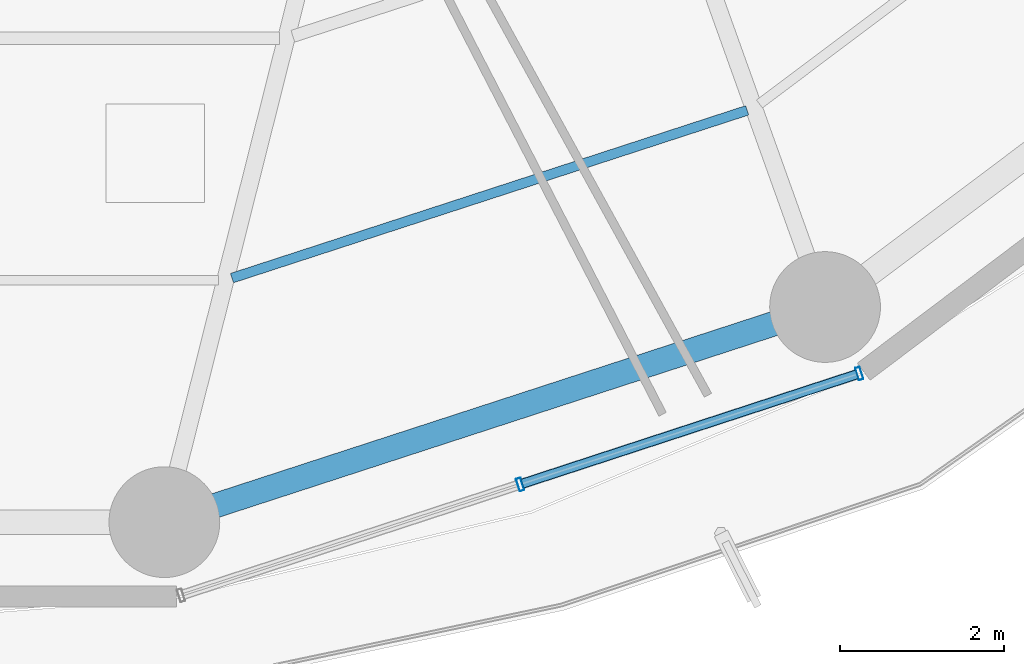
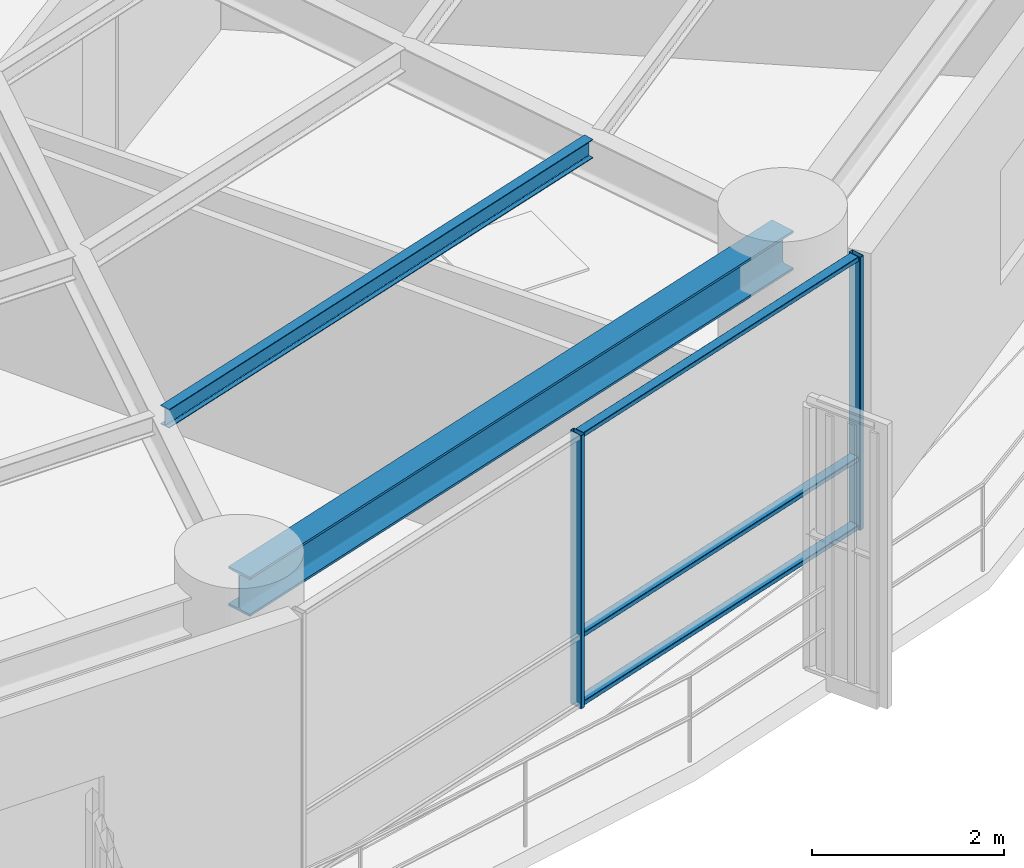
# One storey, part 10 of 35: 5 members, 2 beams, 1 element without a shape of its own.
"""IFC4 building model written with IfcOpenShell, lengths in metres."""

from ifc_helpers import new_model, si_unit, direction, frame, origin, origin_2d, place, context, subcontext, project, spatial, hollow_rectangle, i_section, extrude, material, layer, layer_set, material_profile, profile_set, type_object, element, aggregate, save


model = new_model("IFC4")

# Units and contexts
model_context = context("Model", 3, precision=1e-05, world=origin(), true_north=direction((0.0, 1.0)))
body_context = subcontext(model_context, "Body", "Model", "MODEL_VIEW")
ifc_project = project(units=[si_unit("LENGTHUNIT", "METRE"), si_unit("AREAUNIT", "SQUARE_METRE"), si_unit("VOLUMEUNIT", "CUBIC_METRE"), si_unit("PLANEANGLEUNIT", "RADIAN"), si_unit("MASSUNIT", "GRAM", prefix="KILO")], contexts=[model_context])

# Site, building, storey
site_placement = place(None, origin())
site = spatial("IfcSite", under=ifc_project, at=site_placement, CompositionType="ELEMENT")
building_placement = place(site_placement, origin())
building = spatial("IfcBuilding", under=site, at=building_placement, Name="Kelanora Arch Commons", CompositionType="ELEMENT")
storey_placement = place(building_placement, frame((0.0, 0.0, 117.60009765625)))
storey = spatial("IfcBuildingStorey", under=building, at=storey_placement, Name="L30", CompositionType="ELEMENT", Elevation=117.60009765625)

# Beams
ifc_material_1 = material(Name="Steel S355", Category="steel")
ifc_material_profile_1 = material_profile(ifc_material_1, i_section(OverallWidth=0.1201171875, OverallDepth=0.239990234375, WebThickness=0.006103515625, FlangeThickness=0.009765625, FilletRadius=0.014892578125, at=origin_2d()), Name="IPE240")
ifc_profile_set_1 = profile_set([ifc_material_profile_1], Name="Steel S355")
beam_type_1 = type_object("IfcBeamType", Name="BM-JST-02", PredefinedType="JOIST", material=ifc_profile_set_1)
beam_1_placement = place(storey_placement, frame((79.109375, 39.230712890625, 3.369873046875), z_axis=(0.950862829272, 0.309612467301, 0.0), x_axis=(-0.309612467301, 0.950862829272, 0.0)))
element("IfcBeam", 1, at=beam_1_placement, inside=storey, type_object=beam_type_1, Name="Secondary Chord Joist BJC-28 L30", PredefinedType="JOIST", context=body_context, shape_type="SweptSolid", body=[
    extrude(i_section(OverallWidth=0.1201171875, OverallDepth=0.239990234375, WebThickness=0.006103515625, FlangeThickness=0.009765625, FilletRadius=0.014892578125, at=origin_2d()), origin(), (0.0, 0.0, 1.0), 6.6064453125),
])
ifc_material_profile_2 = material_profile(ifc_material_1, i_section(OverallWidth=0.300048828125, OverallDepth=0.5, WebThickness=0.014404296875, FlangeThickness=0.028076171875, FilletRadius=0.027099609375, at=origin_2d()), Name="HEB500")
ifc_profile_set_2 = profile_set([ifc_material_profile_2], Name="Steel S355")
beam_type_2 = type_object("IfcBeamType", Name="BM-SPN-Z2", PredefinedType="SPANDREL", material=ifc_profile_set_2)
beam_2_placement = place(storey_placement, frame((78.28564453125, 36.25537109375, 3.239990234375), z_axis=(0.950856631974, 0.309631499418, 0.0), x_axis=(-0.309631499418, 0.950856631974, 0.0)))
element("IfcBeam", 2, at=beam_2_placement, inside=storey, type_object=beam_type_2, Name="Perimeter Spandrel Beam BS-28 L30", PredefinedType="SPANDREL", context=body_context, shape_type="SweptSolid", body=[
    extrude(i_section(OverallWidth=0.300048828125, OverallDepth=0.5, WebThickness=0.014404296875, FlangeThickness=0.028076171875, FilletRadius=0.027099609375, at=origin_2d()), origin(), (0.0, 0.0, 1.0), 8.470703125),
])

# Curtain wall, members
ifc_material_2 = material(Name="Terracotta ceramic-fritted low-E glass and aluminium", Category="masonry")
ifc_layer = layer(ifc_material_2, 0.159912109375)
ifc_layer_set = layer_set([ifc_layer], Name="Terracotta ceramic-fritted low-E glass and aluminium")
curtain_wall_type = type_object("IfcCurtainWallType", Name="CW-SYS-01", PredefinedType="NOTDEFINED", material=ifc_layer_set)
curtain_wall_placement = place(storey_placement, origin())
curtain_wall = element("IfcCurtainWall", 3, at=curtain_wall_placement, inside=storey, type_object=curtain_wall_type, Name="Unitised Curtain Wall L30-B14", PredefinedType="NOTDEFINED")
ifc_material_3 = material(Name="Powder-coated aluminium terracotta", Category="masonry")
ifc_material_profile_3 = material_profile(ifc_material_3, hollow_rectangle(XDim=0.159912109375, YDim=0.06005859375, WallThickness=0.0048828125, InnerFilletRadius=0.0048828125, OuterFilletRadius=0.010009765625, at=origin_2d()), Name="CWM160x60")
ifc_profile_set_3 = profile_set([ifc_material_profile_3], Name="Powder-coated aluminium terracotta")
member_type_1 = type_object("IfcMemberType", Name="CWM-STD", PredefinedType="MULLION", material=ifc_profile_set_3)
member_1_placement = place(storey_placement, frame((82.622802734375, 36.71533203125, 0.0), z_axis=(0.0, 0.0, 1.0), x_axis=(-0.31080470294, 0.950473795867, 0.0)))
member_1 = element("IfcMember", 4, at=member_1_placement, type_object=member_type_1, Name="CW-01 mullion 2", PredefinedType="MULLION", context=body_context, shape_type="SweptSolid", body=[
    extrude(hollow_rectangle(XDim=0.159912109375, YDim=0.06005859375, WallThickness=0.0048828125, InnerFilletRadius=0.0048828125, OuterFilletRadius=0.010009765625, at=origin_2d()), origin(), (0.0, 0.0, 1.0), 3.474853515625),
])
member_2_placement = place(storey_placement, frame((86.757080078125, 38.0673828125, 0.0), z_axis=(0.0, 0.0, 1.0), x_axis=(-0.31080470294, 0.950473795867, 0.0)))
member_2 = element("IfcMember", 5, at=member_2_placement, type_object=member_type_1, Name="CW-01 mullion 3", PredefinedType="MULLION", context=body_context, shape_type="SweptSolid", body=[
    extrude(hollow_rectangle(XDim=0.159912109375, YDim=0.06005859375, WallThickness=0.0048828125, InnerFilletRadius=0.0048828125, OuterFilletRadius=0.010009765625, at=origin_2d()), origin(), (0.0, 0.0, 1.0), 3.474853515625),
])
ifc_material_profile_4 = material_profile(ifc_material_3, hollow_rectangle(XDim=0.1201171875, YDim=0.06005859375, WallThickness=0.0048828125, InnerFilletRadius=0.0048828125, OuterFilletRadius=0.010009765625, at=origin_2d()), Name="CWT120x60")
ifc_profile_set_4 = profile_set([ifc_material_profile_4], Name="Powder-coated aluminium terracotta")
member_type_2 = type_object("IfcMemberType", Name="CWT-STD", PredefinedType="USERDEFINED", material=ifc_profile_set_4)
member_3_placement = place(storey_placement, frame((82.651123046875, 36.724609375, 0.02978515625), z_axis=(0.950466230394, 0.310827838008, 0.0), x_axis=(-0.310827838008, 0.950466230394, 0.0)))
member_3 = element("IfcMember", 6, at=member_3_placement, type_object=member_type_2, Name="CW-01 transom 2.1", ObjectType="TRANSOM", PredefinedType="USERDEFINED", context=body_context, shape_type="SweptSolid", body=[
    extrude(hollow_rectangle(XDim=0.1201171875, YDim=0.06005859375, WallThickness=0.0048828125, InnerFilletRadius=0.0048828125, OuterFilletRadius=0.010009765625, at=origin_2d()), origin(), (0.0, 0.0, 1.0), 4.2900390625),
])
member_4_placement = place(storey_placement, frame((82.651123046875, 36.724609375, 0.89990234375), z_axis=(0.950466230394, 0.310827838008, 0.0), x_axis=(-0.310827838008, 0.950466230394, 0.0)))
member_4 = element("IfcMember", 7, at=member_4_placement, type_object=member_type_2, Name="CW-01 transom 2.2", ObjectType="TRANSOM", PredefinedType="USERDEFINED", context=body_context, shape_type="SweptSolid", body=[
    extrude(hollow_rectangle(XDim=0.1201171875, YDim=0.06005859375, WallThickness=0.0048828125, InnerFilletRadius=0.0048828125, OuterFilletRadius=0.010009765625, at=origin_2d()), origin(), (0.0, 0.0, 1.0), 4.2900390625),
])
member_5_placement = place(storey_placement, frame((82.651123046875, 36.724609375, 3.44482421875), z_axis=(0.950466230394, 0.310827838008, 0.0), x_axis=(-0.310827838008, 0.950466230394, 0.0)))
member_5 = element("IfcMember", 8, at=member_5_placement, type_object=member_type_2, Name="CW-01 transom 2.3", ObjectType="TRANSOM", PredefinedType="USERDEFINED", context=body_context, shape_type="SweptSolid", body=[
    extrude(hollow_rectangle(XDim=0.1201171875, YDim=0.06005859375, WallThickness=0.0048828125, InnerFilletRadius=0.0048828125, OuterFilletRadius=0.010009765625, at=origin_2d()), origin(), (0.0, 0.0, 1.0), 4.2900390625),
])
aggregate(curtain_wall, [member_1, member_2, member_3, member_4, member_5])

save(model, "model.ifc")
